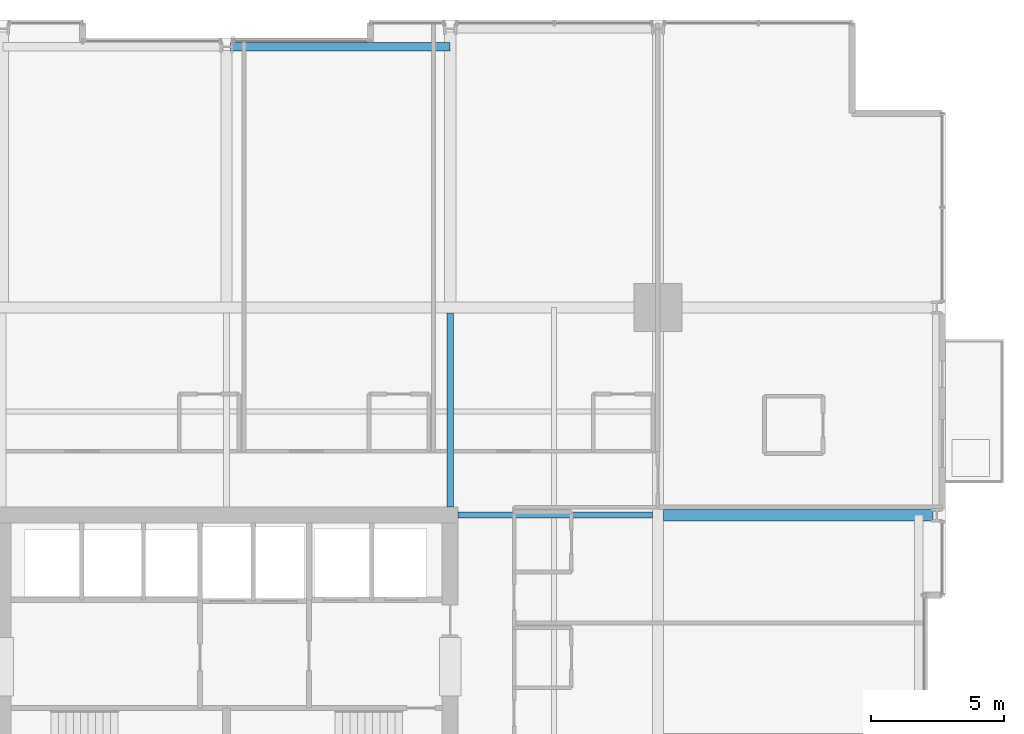
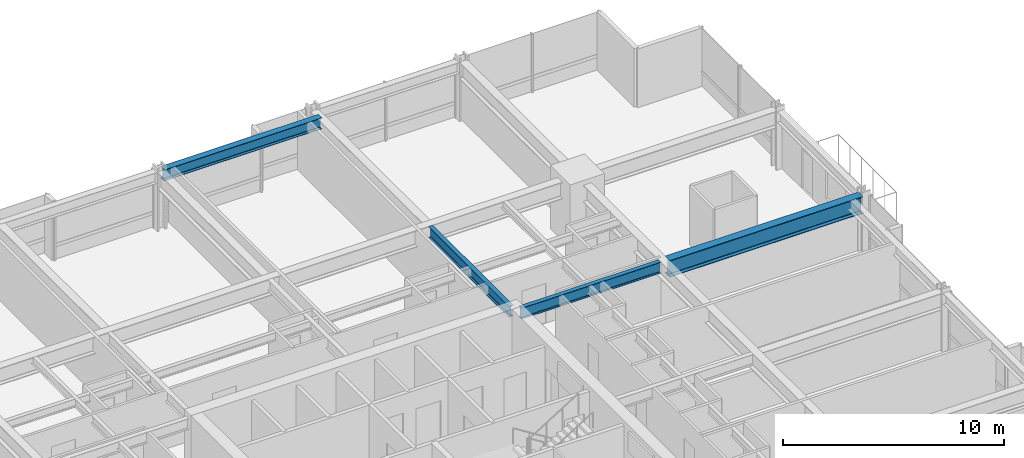
# One storey, part 24 of 37: 4 beams.
"""IFC4 building model written with IfcOpenShell, lengths in metres."""

import ifcopenshell
import ifcopenshell.guid

model = None  # the IFC model being written
_history = None  # IfcOwnerHistory: only IFC2X3 demands one
_inside = {}  # id of a spatial element -> (the spatial element, [elements in it])
_under = {}  # id of a project, library or spatial element -> (it, [spatial elements below it])
_declared = {}  # id of a project -> (the project, [libraries it declares])
_typed = {}  # id of a type object -> (the type object, [elements of that type])
_made_of = {}  # id of a material, layer set ... -> (it, [elements and type objects made of it])


def new_model(schema):
    """Start an empty IFC model of exactly this schema.

    Asked for "IFC4X3", IfcOpenShell would pick the latest addendum, in which some entities
    have other attributes; the version numbers below select the first issue.
    IFC2X3 requires an IfcOwnerHistory on every rooted entity: one is made here for all.
    """
    global model, _history
    if schema == "IFC4X3":
        model = ifcopenshell.file(schema_version=(4, 3, 0, 0))
    else:
        model = ifcopenshell.file(schema=schema)
    _inside.clear()
    _under.clear()
    _declared.clear()
    _typed.clear()
    _made_of.clear()
    _history = None
    if model.schema == "IFC2X3":
        org = make("IfcOrganization", Name="unknown")
        user = make(
            "IfcPersonAndOrganization",
            ThePerson=make("IfcPerson", FamilyName="unknown"),
            TheOrganization=org,
        )
        app = make(
            "IfcApplication",
            ApplicationDeveloper=org,
            Version="unknown",
            ApplicationFullName="unknown",
            ApplicationIdentifier="unknown",
        )
        _history = make(
            "IfcOwnerHistory",
            OwningUser=user,
            OwningApplication=app,
            ChangeAction="ADDED",
            CreationDate=0,
        )
    return model


def make(cls, **values):
    """One entity of the class cls with the attributes given. An attribute that is None is left unset."""
    return model.create_entity(
        cls, **{name: value for name, value in values.items() if value is not None}
    )


def rooted(cls, **values):
    """An entity with a GlobalId (a new one), such as an element, a storey or a relation."""
    return make(cls, GlobalId=ifcopenshell.guid.new(), OwnerHistory=_history, **values)


def si_unit(unit_type, name, prefix=None):
    """IfcSIUnit, for example si_unit("LENGTHUNIT", "METRE", prefix="MILLI")."""
    return make("IfcSIUnit", UnitType=unit_type, Prefix=prefix, Name=name)


def assignment(units):
    """IfcUnitAssignment: the units of a project."""
    return None if units is None else make("IfcUnitAssignment", Units=units)


def point(xyz):
    """IfcCartesianPoint."""
    return None if xyz is None else make("IfcCartesianPoint", Coordinates=xyz)


def direction(xyz):
    """IfcDirection."""
    return None if xyz is None else make("IfcDirection", DirectionRatios=xyz)


def frame(location, z_axis=None, x_axis=None):
    """IfcAxis2Placement3D, a coordinate frame: its origin and axes. An axis left out is left unset."""
    return make(
        "IfcAxis2Placement3D",
        Location=point(location),
        Axis=direction(z_axis),
        RefDirection=direction(x_axis),
    )


def frame_2d(location, x_axis=None):
    """IfcAxis2Placement2D, a coordinate frame in the plane: its origin and x axis."""
    return make(
        "IfcAxis2Placement2D", Location=point(location), RefDirection=direction(x_axis)
    )


def origin():
    """The frame at (0, 0, 0) with its axes left unset."""
    return frame((0.0, 0.0, 0.0))


def origin_2d():
    """The frame at (0, 0) in the plane with its x axis left unset."""
    return frame_2d((0.0, 0.0))


def place(relative_to, where):
    """IfcLocalPlacement: puts the frame where relative to a parent placement (None: the world)."""
    return make(
        "IfcLocalPlacement", PlacementRelTo=relative_to, RelativePlacement=where
    )


def context(
    kind, dimensions, precision=None, world=None, true_north=None, identifier=None
):
    """IfcGeometricRepresentationContext, for example the 3D "Model" context."""
    return make(
        "IfcGeometricRepresentationContext",
        ContextIdentifier=identifier,
        ContextType=kind,
        CoordinateSpaceDimension=dimensions,
        Precision=precision,
        WorldCoordinateSystem=world,
        TrueNorth=true_north,
    )


def subcontext(parent, identifier, kind, view, scale=None):
    """IfcGeometricRepresentationSubContext, for example "Body" below "Model"."""
    return make(
        "IfcGeometricRepresentationSubContext",
        ContextIdentifier=identifier,
        ContextType=kind,
        ParentContext=parent,
        TargetScale=scale,
        TargetView=view,
    )


def project(units=None, contexts=None):
    """IfcProject with its units and contexts."""
    return rooted(
        "IfcProject",
        Name="project",
        RepresentationContexts=contexts,
        UnitsInContext=assignment(units),
    )


def spatial(cls, under=None, at=None, **own):
    """A site, building, storey or space (cls), placed at a placement, below another one or the project."""
    s = rooted(cls, ObjectPlacement=at, **own)
    if under is not None:
        _under.setdefault(under.id(), (under, []))[1].append(s)
    return s


def profile(cls, at=None, kind="AREA", **sizes):
    """A parametric profile (cls). Its sizes go by their IFC names, for example OverallWidth=200.0."""
    return make(cls, ProfileType=kind, Position=at, **sizes)


def i_section(**sizes):
    """IfcIShapeProfileDef."""
    return profile("IfcIShapeProfileDef", **sizes)


def extrude(swept, where, along, depth):
    """IfcExtrudedAreaSolid: the profile swept, set in the frame where, extruded along a direction by depth."""
    return make(
        "IfcExtrudedAreaSolid",
        SweptArea=swept,
        Position=where,
        ExtrudedDirection=direction(along),
        Depth=depth,
    )


def shape(context_of_items, identifier, shape_type, items):
    """IfcShapeRepresentation: the items that make up one representation, for example the "Body"."""
    return make(
        "IfcShapeRepresentation",
        ContextOfItems=context_of_items,
        RepresentationIdentifier=identifier,
        RepresentationType=shape_type,
        Items=items,
    )


def material(Name=None, Category=None):
    """IfcMaterial."""
    return make("IfcMaterial", Name=Name, Category=Category)


def material_profile(
    of_material, cross_section, Name=None, Category=None, Priority=None
):
    """IfcMaterialProfile: a cross section and its material."""
    return make(
        "IfcMaterialProfile",
        Name=Name,
        Material=of_material,
        Profile=cross_section,
        Priority=Priority,
        Category=Category,
    )


def profile_set(profiles, Name=None, composite=None):
    """IfcMaterialProfileSet."""
    return make(
        "IfcMaterialProfileSet",
        Name=Name,
        MaterialProfiles=profiles,
        CompositeProfile=composite,
    )


def made_of(thing, what):
    """Note that an element or type object is made of a material, layer set ...; save() writes the relation."""
    if what is not None:
        _made_of.setdefault(what.id(), (what, []))[1].append(thing)
    return thing


def type_object(cls, material=None, **own):
    """A type object (cls), such as IfcWallType, which elements share."""
    return made_of(rooted(cls, **own), material)


def element(
    cls,
    number,
    at=None,
    inside=None,
    cuts=None,
    type_object=None,
    material=None,
    context=None,
    identifier="Body",
    shape_type=None,
    held_by="IfcProductDefinitionShape",
    body=None,
    shapes=None,
    **own,
):
    """One element of the class cls, such as IfcWall. Its Tag is "e" and its number.

    at: its placement. inside: the storey or other place that contains it. cuts: it is an
    opening in that element (IfcRelVoidsElement). A single representation is given by context,
    identifier, shape_type and body (its items); several are given by shapes. held_by: the class
    of the entity that holds the representations. save() writes the other relations.
    """
    e = rooted(cls, Tag="e%d" % number, ObjectPlacement=at, **own)
    if body is not None:
        shapes = [shape(context, identifier, shape_type, body)]
    if shapes is not None:
        e.Representation = make(held_by, Representations=shapes)
    if inside is not None:
        _inside.setdefault(inside.id(), (inside, []))[1].append(e)
    if cuts is not None:
        rooted(
            "IfcRelVoidsElement", RelatingBuildingElement=cuts, RelatedOpeningElement=e
        )
    if type_object is not None:
        _typed.setdefault(type_object.id(), (type_object, []))[1].append(e)
    return made_of(e, material)


def aggregate(whole, parts):
    """IfcRelAggregates: a whole, such as a stair, and the parts it consists of."""
    return rooted("IfcRelAggregates", RelatingObject=whole, RelatedObjects=parts)


def save(model, path):
    """Write the relations noted so far, then the file.

    IfcRelAggregates (storeys below a building ...), IfcRelContainedInSpatialStructure (elements
    in a storey), IfcRelDefinesByType, IfcRelAssociatesMaterial and IfcRelDeclares: one each for
    every whole, place, type object, material and project.
    """
    for whole, parts in _under.values():
        aggregate(whole, parts)
    for where, things in _inside.values():
        rooted(
            "IfcRelContainedInSpatialStructure",
            RelatedElements=things,
            RelatingStructure=where,
        )
    for kind, things in _typed.values():
        rooted("IfcRelDefinesByType", RelatedObjects=things, RelatingType=kind)
    for what, things in _made_of.values():
        rooted("IfcRelAssociatesMaterial", RelatedObjects=things, RelatingMaterial=what)
    for by, libraries in _declared.values():
        rooted("IfcRelDeclares", RelatingContext=by, RelatedDefinitions=libraries)
    model.write(path)


model = new_model("IFC4")

# Units and contexts
model_context = context("Model", 3, precision=1e-05, world=origin(), true_north=direction((0.0, 1.0)))
body_context = subcontext(model_context, "Body", "Model", "MODEL_VIEW")
ifc_project = project(units=[si_unit("LENGTHUNIT", "METRE"), si_unit("AREAUNIT", "SQUARE_METRE"), si_unit("VOLUMEUNIT", "CUBIC_METRE"), si_unit("PLANEANGLEUNIT", "RADIAN"), si_unit("MASSUNIT", "GRAM", prefix="KILO")], contexts=[model_context])

# Site, building, storey
site_placement = place(None, origin())
site = spatial("IfcSite", under=ifc_project, at=site_placement, CompositionType="ELEMENT")
building_placement = place(site_placement, origin())
building = spatial("IfcBuilding", under=site, at=building_placement, Name="Drelvath Grand Hotel", CompositionType="ELEMENT")
storey_placement = place(building_placement, frame((0.0, 0.0, 43.699951171875)))
storey = spatial("IfcBuildingStorey", under=building, at=storey_placement, Name="L09", CompositionType="ELEMENT", Elevation=43.699951171875)

# Beams
ifc_material = material(Name="Steel ASTM A992 Gr 50", Category="steel")
ifc_material_profile_1 = material_profile(ifc_material, i_section(OverallWidth=0.323974609375, OverallDepth=0.611083984375, WebThickness=0.0126953125, FlangeThickness=0.01904296875, FilletRadius=0.02197265625, at=origin_2d()), Name="W24X104")
ifc_profile_set_1 = profile_set([ifc_material_profile_1], Name="Steel ASTM A992 Gr 50")
beam_type_1 = type_object("IfcBeamType", Name="Perimeter Spandrel Beam W24X104", PredefinedType="SPANDREL", material=ifc_profile_set_1)
beam_1_placement = place(storey_placement, frame((0.139892578125, 53.0, 2.9345703125), z_axis=(1.0, 0.0, 0.0), x_axis=(0.0, 1.0, 0.0)))
element("IfcBeam", 1, at=beam_1_placement, inside=storey, type_object=beam_type_1, Name="L09 Spandrel North Mid E", PredefinedType="SPANDREL", context=body_context, shape_type="SweptSolid", body=[
    extrude(i_section(OverallWidth=0.323974609375, OverallDepth=0.611083984375, WebThickness=0.0126953125, FlangeThickness=0.01904296875, FilletRadius=0.02197265625, at=origin_2d()), origin(), (0.0, 0.0, 1.0), 8.260009765625),
])
ifc_material_profile_2 = material_profile(ifc_material, i_section(OverallWidth=0.228271484375, OverallDepth=0.607666015625, WebThickness=0.01123046875, FlangeThickness=0.017333984375, FilletRadius=0.02001953125, at=origin_2d()), Name="W24X76")
ifc_profile_set_2 = profile_set([ifc_material_profile_2], Name="Steel ASTM A992 Gr 50")
beam_type_2 = type_object("IfcBeamType", Name="Primary Floor Girder W24X76", PredefinedType="BEAM", material=ifc_profile_set_2)
for number, where, z_axis, x_axis, name in (
    (2, (8.699951171875, 35.39990234375, 2.936279296875), (1.0, 0.0, 0.0), (0.0, 1.0, 0.0), "L09 East Core Tie F"),
    (3, (8.39990234375, 35.699951171875, 2.936279296875), (0.0, 1.0, 0.0), (-1.0, 0.0, 0.0), "L09 North Core Tie 6"),
):
    element("IfcBeam", number, at=place(storey_placement, frame(where, z_axis=z_axis, x_axis=x_axis)), inside=storey, type_object=beam_type_2, Name=name, PredefinedType="BEAM", context=body_context, shape_type="SweptSolid", body=[
        extrude(i_section(OverallWidth=0.228271484375, OverallDepth=0.607666015625, WebThickness=0.01123046875, FlangeThickness=0.017333984375, FilletRadius=0.02001953125, at=origin_2d()), origin(), (0.0, 0.0, 1.0), 7.290771484375),
    ])
ifc_material_profile_3 = material_profile(ifc_material, i_section(OverallWidth=0.418212890625, OverallDepth=0.926513671875, WebThickness=0.019287109375, FlangeThickness=0.031982421875, FilletRadius=0.028076171875, at=origin_2d()), Name="W36X231")
ifc_profile_set_3 = profile_set([ifc_material_profile_3], Name="Steel ASTM A992 Gr 50")
beam_type_3 = type_object("IfcBeamType", Name="Primary Floor Girder W36X231", PredefinedType="BEAM", material=ifc_profile_set_3)
beam_2_placement = place(storey_placement, frame((16.4091796875, 35.39990234375, 2.77685546875), z_axis=(1.0, 0.0, 0.0), x_axis=(0.0, 1.0, 0.0)))
element("IfcBeam", 4, at=beam_2_placement, inside=storey, type_object=beam_type_3, Name="L09 East Wing Girder F", PredefinedType="BEAM", context=body_context, shape_type="SweptSolid", body=[
    extrude(i_section(OverallWidth=0.418212890625, OverallDepth=0.926513671875, WebThickness=0.019287109375, FlangeThickness=0.031982421875, FilletRadius=0.028076171875, at=origin_2d()), origin(), (0.0, 0.0, 1.0), 10.130859375),
])

save(model, "model.ifc")
